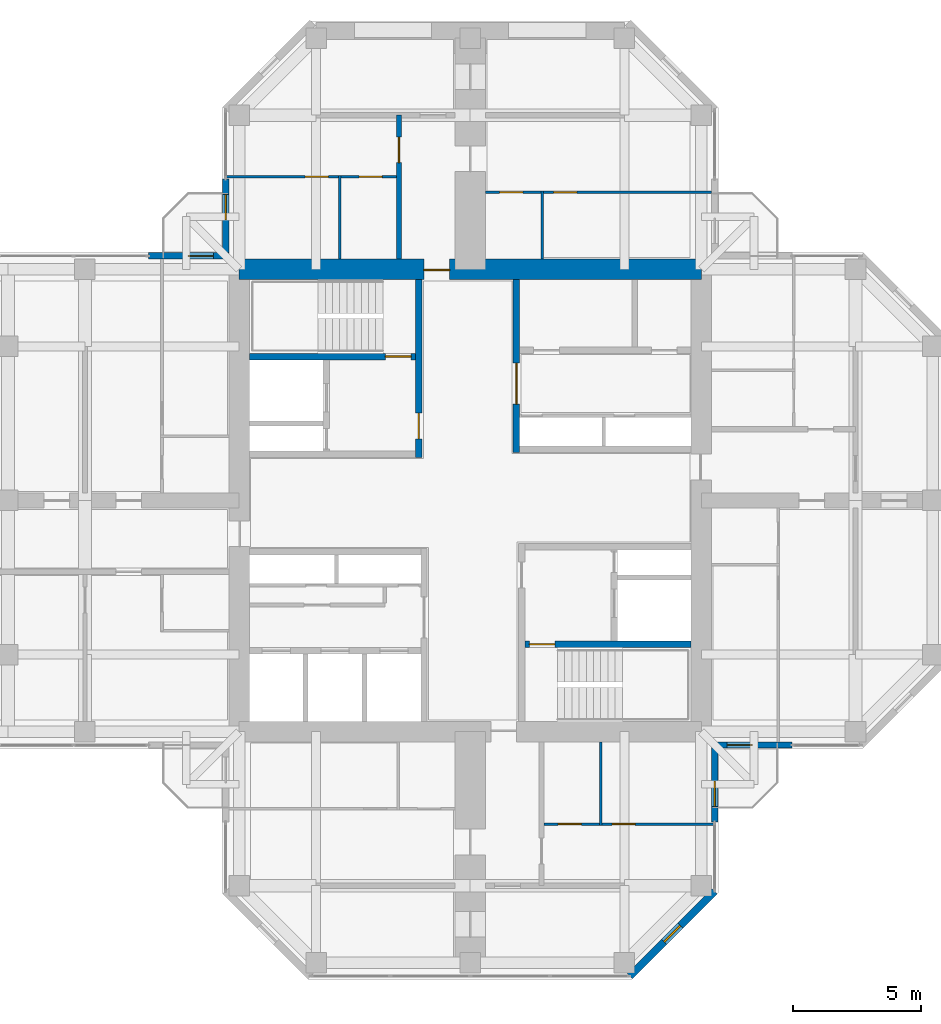
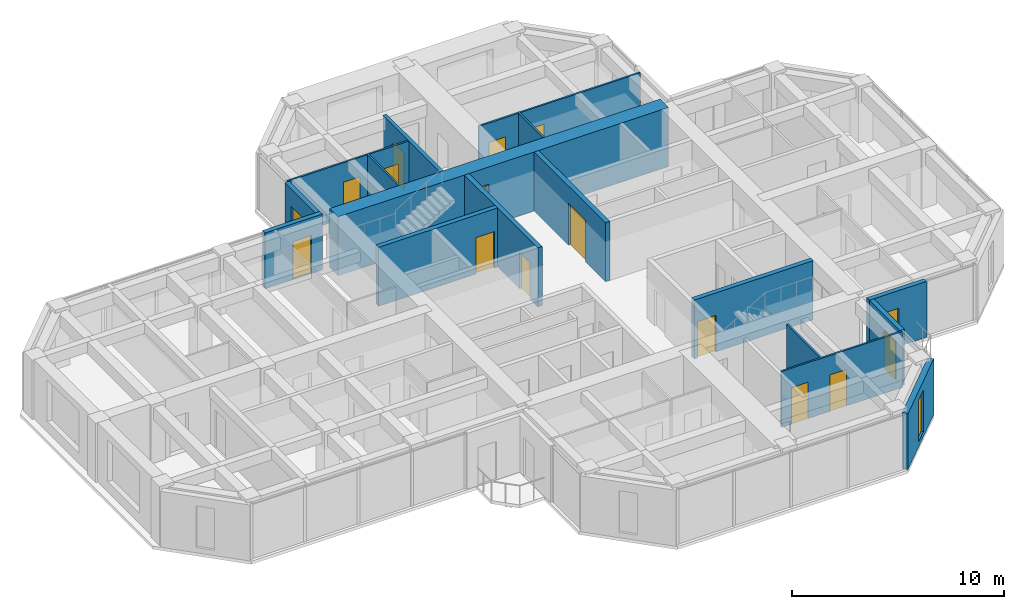
# One storey, part 10 of 13: 17 walls, 16 doors, 1 window, 17 openings.
"""IFC4 building model written with IfcOpenShell, lengths in metres."""

from ifc_helpers import new_model, si_unit, direction, frame, frame_2d, origin, place, context, subcontext, project, spatial, rectangle, hollow_rectangle, extrude, material, layer, layer_set, constituent, constituent_set, type_object, element, fill, save


model = new_model("IFC4")

# Units and contexts
model_context = context("Model", 3, precision=1e-05, world=origin(), true_north=direction((0.0, 1.0)))
body_context = subcontext(model_context, "Body", "Model", "MODEL_VIEW")
ifc_project = project(units=[si_unit("LENGTHUNIT", "METRE"), si_unit("AREAUNIT", "SQUARE_METRE"), si_unit("VOLUMEUNIT", "CUBIC_METRE"), si_unit("PLANEANGLEUNIT", "RADIAN"), si_unit("MASSUNIT", "GRAM", prefix="KILO")], contexts=[model_context])

# Site, building, storey
site_placement = place(None, origin())
site = spatial("IfcSite", under=ifc_project, at=site_placement, CompositionType="ELEMENT")
building_placement = place(site_placement, origin())
building = spatial("IfcBuilding", under=site, at=building_placement, Name="Torre Cruceta", CompositionType="ELEMENT")
storey_placement = place(building_placement, frame((0.0, 0.0, 232.300048828125)))
storey = spatial("IfcBuildingStorey", under=building, at=storey_placement, Name="L59", CompositionType="ELEMENT", Elevation=232.300048828125)

# Wall
ifc_material_1 = material(Name="Water-resistant plasterboard on steel studs", Category="steel")
ifc_layer_1 = layer(ifc_material_1, 0.10009765625)
ifc_layer_set_1 = layer_set([ifc_layer_1], Name="Water-resistant plasterboard on steel studs")
wall_type_1 = type_object("IfcWallType", Name="BATHROOM WALL 100", PredefinedType="PARTITIONING", material=ifc_layer_set_1)
wall_1_placement = place(storey_placement, frame((-5.074951171875, 9.39990234375, 0.0), z_axis=(0.0, 0.0, 1.0), x_axis=(0.0, 1.0, 0.0)))
element("IfcWall", 1, at=wall_1_placement, inside=storey, type_object=wall_type_1, Name="PT4 L59-N-U1LBB", PredefinedType="PARTITIONING", context=body_context, shape_type="SweptSolid", body=[
    extrude(rectangle(XDim=3.25, YDim=0.10009765625, at=frame_2d((1.625, 0.0))), origin(), (0.0, 0.0, 1.0), 3.219970703125),
])

# Wall, openings, doors
wall_2_placement = place(storey_placement, frame((-2.875, 12.60009765625, 0.0), z_axis=(0.0, 0.0, 1.0), x_axis=(-1.0, 0.0, 0.0)))
wall_2 = element("IfcWall", 2, at=wall_2_placement, inside=storey, type_object=wall_type_1, Name="PT4 L59-N-U1LBS", PredefinedType="PARTITIONING", context=body_context, shape_type="SweptSolid", body=[
    extrude(rectangle(XDim=6.60498046875, YDim=0.10009765625, at=frame_2d((3.302490234375, 0.0))), origin(), (0.0, 0.0, 1.0), 3.219970703125),
])
opening_1_placement = place(wall_2_placement, frame((0.550048828125, 0.0, 0.0)))
opening_1 = element("IfcOpeningElement", 3, at=opening_1_placement, cuts=wall_2, Name="Opening D7", PredefinedType="OPENING", context=body_context, shape_type="SweptSolid", body=[
    extrude(rectangle(XDim=0.89990234375, YDim=2.10009765625, at=frame_2d((0.449951171875, 1.050048828125))), frame((0.0, 0.06005859375, 0.0), z_axis=(0.0, -1.0, 0.0), x_axis=(1.0, 0.0, 0.0)), (0.0, 0.0, 1.0), 0.1201171875),
])
opening_2_placement = place(wall_2_placement, frame((2.64990234375, 0.0, 0.0)))
opening_2 = element("IfcOpeningElement", 4, at=opening_2_placement, cuts=wall_2, Name="Opening D7", PredefinedType="OPENING", context=body_context, shape_type="SweptSolid", body=[
    extrude(rectangle(XDim=0.89990234375, YDim=2.10009765625, at=frame_2d((0.449951171875, 1.050048828125))), frame((0.0, 0.06005859375, 0.0), z_axis=(0.0, -1.0, 0.0), x_axis=(1.0, 0.0, 0.0)), (0.0, 0.0, 1.0), 0.1201171875),
])
ifc_material_2 = material(Name="Timber door", Category="wood")
door_type_1 = type_object("IfcDoorType", Name="BATHROOM DOOR 900X2100", OperationType="SINGLE_SWING_LEFT", PredefinedType="DOOR", material=ifc_material_2)
door_1_placement = place(opening_1_placement, origin())
door_1 = element("IfcDoor", 5, at=door_1_placement, inside=storey, type_object=door_type_1, Name="D7 L59-N-U1LBS-D1", OperationType="SINGLE_SWING_LEFT", OverallHeight=2.10009765625, OverallWidth=0.89990234375, PredefinedType="DOOR", context=body_context, shape_type="SweptSolid", body=[
    extrude(rectangle(XDim=0.89990234375, YDim=2.10009765625, at=frame_2d((0.449951171875, 1.050048828125))), frame((0.0, 0.02490234375, 0.0), z_axis=(0.0, -1.0, 0.0), x_axis=(1.0, 0.0, 0.0)), (0.0, 0.0, 1.0), 0.050048828125),
])
fill(opening_1, door_1)
door_2_placement = place(opening_2_placement, origin())
door_2 = element("IfcDoor", 6, at=door_2_placement, inside=storey, type_object=door_type_1, Name="D7 L59-N-U1LBS-D2", OperationType="SINGLE_SWING_LEFT", OverallHeight=2.10009765625, OverallWidth=0.89990234375, PredefinedType="DOOR", context=body_context, shape_type="SweptSolid", body=[
    extrude(rectangle(XDim=0.89990234375, YDim=2.10009765625, at=frame_2d((0.449951171875, 1.050048828125))), frame((0.0, 0.02490234375, 0.0), z_axis=(0.0, -1.0, 0.0), x_axis=(1.0, 0.0, 0.0)), (0.0, 0.0, 1.0), 0.050048828125),
])
fill(opening_2, door_2)

# Wall
wall_3_placement = place(storey_placement, frame((2.800048828125, 9.39990234375, 0.0), z_axis=(0.0, 0.0, 1.0), x_axis=(0.0, 1.0, 0.0)))
element("IfcWall", 7, at=wall_3_placement, inside=storey, type_object=wall_type_1, Name="PT4 L59-N-U1RBB", PredefinedType="PARTITIONING", context=body_context, shape_type="SweptSolid", body=[
    extrude(rectangle(XDim=2.650146484375, YDim=0.10009765625, at=frame_2d((1.3251953125, 0.0))), origin(), (0.0, 0.0, 1.0), 3.219970703125),
])

# Wall, openings, doors
wall_4_placement = place(storey_placement, frame((9.39501953125, 12.0, 0.0), z_axis=(0.0, 0.0, 1.0), x_axis=(-1.0, 0.0, 0.0)))
wall_4 = element("IfcWall", 8, at=wall_4_placement, inside=storey, type_object=wall_type_1, Name="PT4 L59-N-U1RBS", PredefinedType="PARTITIONING", context=body_context, shape_type="SweptSolid", body=[
    extrude(rectangle(XDim=8.794921875, YDim=0.10009765625, at=frame_2d((4.3974609375, 0.0))), origin(), (0.0, 0.0, 1.0), 3.219970703125),
])
opening_3_placement = place(wall_4_placement, frame((5.2451171875, 0.0, 0.0)))
opening_3 = element("IfcOpeningElement", 9, at=opening_3_placement, cuts=wall_4, Name="Opening D7", PredefinedType="OPENING", context=body_context, shape_type="SweptSolid", body=[
    extrude(rectangle(XDim=0.89990234375, YDim=2.10009765625, at=frame_2d((0.449951171875, 1.050048828125))), frame((0.0, 0.06005859375, 0.0), z_axis=(0.0, -1.0, 0.0), x_axis=(1.0, 0.0, 0.0)), (0.0, 0.0, 1.0), 0.1201171875),
])
opening_4_placement = place(wall_4_placement, frame((7.344970703125, 0.0, 0.0)))
opening_4 = element("IfcOpeningElement", 10, at=opening_4_placement, cuts=wall_4, Name="Opening D7", PredefinedType="OPENING", context=body_context, shape_type="SweptSolid", body=[
    extrude(rectangle(XDim=0.89990234375, YDim=2.10009765625, at=frame_2d((0.449951171875, 1.050048828125))), frame((0.0, 0.06005859375, 0.0), z_axis=(0.0, -1.0, 0.0), x_axis=(1.0, 0.0, 0.0)), (0.0, 0.0, 1.0), 0.1201171875),
])
door_3_placement = place(opening_3_placement, origin())
door_3 = element("IfcDoor", 11, at=door_3_placement, inside=storey, type_object=door_type_1, Name="D7 L59-N-U1RBS-D1", OperationType="SINGLE_SWING_RIGHT", OverallHeight=2.10009765625, OverallWidth=0.89990234375, PredefinedType="DOOR", context=body_context, shape_type="SweptSolid", body=[
    extrude(rectangle(XDim=0.89990234375, YDim=2.10009765625, at=frame_2d((0.449951171875, 1.050048828125))), frame((0.0, 0.02490234375, 0.0), z_axis=(0.0, -1.0, 0.0), x_axis=(1.0, 0.0, 0.0)), (0.0, 0.0, 1.0), 0.050048828125),
])
fill(opening_3, door_3)
door_4_placement = place(opening_4_placement, origin())
door_4 = element("IfcDoor", 12, at=door_4_placement, inside=storey, type_object=door_type_1, Name="D7 L59-N-U1RBS-D2", OperationType="SINGLE_SWING_RIGHT", OverallHeight=2.10009765625, OverallWidth=0.89990234375, PredefinedType="DOOR", context=body_context, shape_type="SweptSolid", body=[
    extrude(rectangle(XDim=0.89990234375, YDim=2.10009765625, at=frame_2d((0.449951171875, 1.050048828125))), frame((0.0, 0.02490234375, 0.0), z_axis=(0.0, -1.0, 0.0), x_axis=(1.0, 0.0, 0.0)), (0.0, 0.0, 1.0), 0.050048828125),
])
fill(opening_4, door_4)

# Wall
wall_5_placement = place(storey_placement, frame((5.074951171875, -9.39990234375, 0.0), z_axis=(0.0, 0.0, 1.0), x_axis=(0.0, -1.0, 0.0)))
element("IfcWall", 13, at=wall_5_placement, inside=storey, type_object=wall_type_1, Name="PT4 L59-S-U1LBB", PredefinedType="PARTITIONING", context=body_context, shape_type="SweptSolid", body=[
    extrude(rectangle(XDim=3.25, YDim=0.10009765625, at=frame_2d((1.625, 0.0))), origin(), (0.0, 0.0, 1.0), 3.219970703125),
])

# Wall, openings, doors
wall_6_placement = place(storey_placement, frame((2.875, -12.60009765625, 0.0), z_axis=(0.0, 0.0, 1.0), x_axis=(1.0, 0.0, 0.0)))
wall_6 = element("IfcWall", 14, at=wall_6_placement, inside=storey, type_object=wall_type_1, Name="PT4 L59-S-U1LBS", PredefinedType="PARTITIONING", context=body_context, shape_type="SweptSolid", body=[
    extrude(rectangle(XDim=6.60498046875, YDim=0.10009765625, at=frame_2d((3.302490234375, 0.0))), origin(), (0.0, 0.0, 1.0), 3.219970703125),
])
opening_5_placement = place(wall_6_placement, frame((0.550048828125, 0.0, 0.0)))
opening_5 = element("IfcOpeningElement", 15, at=opening_5_placement, cuts=wall_6, Name="Opening D7", PredefinedType="OPENING", context=body_context, shape_type="SweptSolid", body=[
    extrude(rectangle(XDim=0.89990234375, YDim=2.10009765625, at=frame_2d((0.449951171875, 1.050048828125))), frame((0.0, 0.06005859375, 0.0), z_axis=(0.0, -1.0, 0.0), x_axis=(1.0, 0.0, 0.0)), (0.0, 0.0, 1.0), 0.1201171875),
])
opening_6_placement = place(wall_6_placement, frame((2.64990234375, 0.0, 0.0)))
opening_6 = element("IfcOpeningElement", 16, at=opening_6_placement, cuts=wall_6, Name="Opening D7", PredefinedType="OPENING", context=body_context, shape_type="SweptSolid", body=[
    extrude(rectangle(XDim=0.89990234375, YDim=2.10009765625, at=frame_2d((0.449951171875, 1.050048828125))), frame((0.0, 0.06005859375, 0.0), z_axis=(0.0, -1.0, 0.0), x_axis=(1.0, 0.0, 0.0)), (0.0, 0.0, 1.0), 0.1201171875),
])
door_5_placement = place(opening_5_placement, origin())
door_5 = element("IfcDoor", 17, at=door_5_placement, inside=storey, type_object=door_type_1, Name="D7 L59-S-U1LBS-D1", OperationType="SINGLE_SWING_LEFT", OverallHeight=2.10009765625, OverallWidth=0.89990234375, PredefinedType="DOOR", context=body_context, shape_type="SweptSolid", body=[
    extrude(rectangle(XDim=0.89990234375, YDim=2.10009765625, at=frame_2d((0.449951171875, 1.050048828125))), frame((0.0, 0.02490234375, 0.0), z_axis=(0.0, -1.0, 0.0), x_axis=(1.0, 0.0, 0.0)), (0.0, 0.0, 1.0), 0.050048828125),
])
fill(opening_5, door_5)
door_6_placement = place(opening_6_placement, origin())
door_6 = element("IfcDoor", 18, at=door_6_placement, inside=storey, type_object=door_type_1, Name="D7 L59-S-U1LBS-D2", OperationType="SINGLE_SWING_LEFT", OverallHeight=2.10009765625, OverallWidth=0.89990234375, PredefinedType="DOOR", context=body_context, shape_type="SweptSolid", body=[
    extrude(rectangle(XDim=0.89990234375, YDim=2.10009765625, at=frame_2d((0.449951171875, 1.050048828125))), frame((0.0, 0.02490234375, 0.0), z_axis=(0.0, -1.0, 0.0), x_axis=(1.0, 0.0, 0.0)), (0.0, 0.0, 1.0), 0.050048828125),
])
fill(opening_6, door_6)

# Wall, opening, door
ifc_material_3 = material(Name="Concrete G60 (fck 60 MPa)", Category="concrete")
ifc_layer_2 = layer(ifc_material_3, 0.25)
ifc_layer_set_2 = layer_set([ifc_layer_2], Name="Concrete G60 (fck 60 MPa)")
wall_type_2 = type_object("IfcWallType", Name="CORE INNER WALL 250 G60", PredefinedType="SHEAR", material=ifc_layer_set_2)
wall_7_placement = place(storey_placement, frame((1.800048828125, 1.875, 0.0), z_axis=(0.0, 0.0, 1.0), x_axis=(0.0, 1.0, 0.0)))
wall_7 = element("IfcWall", 19, at=wall_7_placement, inside=storey, type_object=wall_type_2, Name="CW4 L59 NE-CU", PredefinedType="SHEAR", context=body_context, shape_type="SweptSolid", body=[
    extrude(rectangle(XDim=6.72509765625, YDim=0.25, at=frame_2d((3.362548828125, 0.0))), origin(), (0.0, 0.0, 1.0), 3.39990234375),
])
opening_7_placement = place(wall_7_placement, frame((1.875, 0.0, 0.0)))
opening_7 = element("IfcOpeningElement", 20, at=opening_7_placement, cuts=wall_7, Name="Opening D15", PredefinedType="OPENING", context=body_context, shape_type="SweptSolid", body=[
    extrude(rectangle(XDim=1.60009765625, YDim=2.39990234375, at=frame_2d((0.800048828125, 1.199951171875))), frame((0.0, 0.135009765625, 0.0), z_axis=(0.0, -1.0, 0.0), x_axis=(1.0, 0.0, 0.0)), (0.0, 0.0, 1.0), 0.27001953125),
])
ifc_material_4 = material(Name="Steel DX51D", Category="steel")
ifc_constituent_1 = constituent(ifc_material_4, Name="Leaf and frame")
ifc_material_5 = material(Name="Polyester powder coating", Category="paint")
ifc_constituent_2 = constituent(ifc_material_5, Name="Finish")
ifc_constituent_set_1 = constituent_set(constituents=[ifc_constituent_1, ifc_constituent_2], Name="Steel fire door")
door_type_2 = type_object("IfcDoorType", Name="CORE ROOM DOUBLE DOOR 1600X2400", OperationType="DOUBLE_DOOR_SINGLE_SWING", PredefinedType="DOOR", material=ifc_constituent_set_1)
door_7_placement = place(opening_7_placement, frame((1.60009765625, 0.0, 0.0), z_axis=(0.0, 0.0, 1.0), x_axis=(-1.0, 0.0, 0.0)))
door_7 = element("IfcDoor", 21, at=door_7_placement, inside=storey, type_object=door_type_2, Name="D15 L59 NE-LOBBY", OperationType="DOUBLE_DOOR_SINGLE_SWING", OverallHeight=2.39990234375, OverallWidth=1.60009765625, PredefinedType="DOOR", context=body_context, shape_type="SweptSolid", body=[
    extrude(rectangle(XDim=1.60009765625, YDim=2.39990234375, at=frame_2d((0.800048828125, 1.199951171875))), frame((0.0, 0.025146484375, 0.0), z_axis=(0.0, -1.0, 0.0), x_axis=(1.0, 0.0, 0.0)), (0.0, 0.0, 1.0), 0.050048828125),
])
fill(opening_7, door_7)

wall_8_placement = place(storey_placement, frame((-2.0, 1.675048828125, 0.0), z_axis=(0.0, 0.0, 1.0), x_axis=(0.0, 1.0, 0.0)))
wall_8 = element("IfcWall", 22, at=wall_8_placement, inside=storey, type_object=wall_type_2, Name="CW4 L59 NW-CU", PredefinedType="SHEAR", context=body_context, shape_type="SweptSolid", body=[
    extrude(rectangle(XDim=6.925048828125, YDim=0.25, at=frame_2d((3.46240234375, 0.0))), origin(), (0.0, 0.0, 1.0), 3.39990234375),
])
opening_8_placement = place(wall_8_placement, frame((0.72509765625, 0.0, 0.0)))
opening_8 = element("IfcOpeningElement", 23, at=opening_8_placement, cuts=wall_8, Name="Opening D3", PredefinedType="OPENING", context=body_context, shape_type="SweptSolid", body=[
    extrude(rectangle(XDim=1.0, YDim=2.10009765625, at=frame_2d((0.5, 1.050048828125))), frame((0.0, 0.135009765625, 0.0), z_axis=(0.0, -1.0, 0.0), x_axis=(1.0, 0.0, 0.0)), (0.0, 0.0, 1.0), 0.27001953125),
])
ifc_material_6 = material(Name="Steel DX51D", Category="steel")
ifc_constituent_3 = constituent(ifc_material_6, Name="Leaf and frame")
ifc_material_7 = material(Name="Polyester powder coating", Category="paint")
ifc_constituent_4 = constituent(ifc_material_7, Name="Finish")
ifc_constituent_set_2 = constituent_set(constituents=[ifc_constituent_3, ifc_constituent_4], Name="Steel fire door")
door_type_3 = type_object("IfcDoorType", Name="FIRE DOOR 1000X2100", OperationType="SINGLE_SWING_LEFT", PredefinedType="DOOR", material=ifc_constituent_set_2)
door_8_placement = place(opening_8_placement, origin())
door_8 = element("IfcDoor", 24, at=door_8_placement, inside=storey, type_object=door_type_3, Name="D3 L59 NW-LOBBY", OperationType="SINGLE_SWING_LEFT", OverallHeight=2.10009765625, OverallWidth=1.0, PredefinedType="DOOR", context=body_context, shape_type="SweptSolid", body=[
    extrude(rectangle(XDim=1.0, YDim=2.10009765625, at=frame_2d((0.5, 1.050048828125))), frame((0.0, 0.02490234375, 0.0), z_axis=(0.0, -1.0, 0.0), x_axis=(1.0, 0.0, 0.0)), (0.0, 0.0, 1.0), 0.050048828125),
])
fill(opening_8, door_8)

wall_9_placement = place(storey_placement, frame((-2.125, 5.60009765625, 0.0), z_axis=(0.0, 0.0, 1.0), x_axis=(-1.0, 0.0, 0.0)))
wall_9 = element("IfcWall", 25, at=wall_9_placement, inside=storey, type_object=wall_type_2, Name="CW4 L59 NW-SV", PredefinedType="SHEAR", context=body_context, shape_type="SweptSolid", body=[
    extrude(rectangle(XDim=6.47509765625, YDim=0.25, at=frame_2d((3.237548828125, 0.0))), origin(), (0.0, 0.0, 1.0), 3.39990234375),
])
opening_9_placement = place(wall_9_placement, frame((0.175048828125, 0.0, 0.0)))
opening_9 = element("IfcOpeningElement", 26, at=opening_9_placement, cuts=wall_9, Name="Opening D3", PredefinedType="OPENING", context=body_context, shape_type="SweptSolid", body=[
    extrude(rectangle(XDim=1.0, YDim=2.10009765625, at=frame_2d((0.5, 1.050048828125))), frame((0.0, 0.135009765625, 0.0), z_axis=(0.0, -1.0, 0.0), x_axis=(1.0, 0.0, 0.0)), (0.0, 0.0, 1.0), 0.27001953125),
])
door_9_placement = place(opening_9_placement, frame((1.0, 0.0, 0.0), z_axis=(0.0, 0.0, 1.0), x_axis=(-1.0, 0.0, 0.0)))
door_9 = element("IfcDoor", 27, at=door_9_placement, inside=storey, type_object=door_type_3, Name="D3 L59 NW-STAIR", OperationType="SINGLE_SWING_RIGHT", OverallHeight=2.10009765625, OverallWidth=1.0, PredefinedType="DOOR", context=body_context, shape_type="SweptSolid", body=[
    extrude(rectangle(XDim=1.0, YDim=2.10009765625, at=frame_2d((0.5, 1.050048828125))), frame((0.0, 0.025146484375, 0.0), z_axis=(0.0, -1.0, 0.0), x_axis=(1.0, 0.0, 0.0)), (0.0, 0.0, 1.0), 0.050048828125),
])
fill(opening_9, door_9)

wall_10_placement = place(storey_placement, frame((2.125, -5.60009765625, 0.0), z_axis=(0.0, 0.0, 1.0), x_axis=(1.0, 0.0, 0.0)))
wall_10 = element("IfcWall", 28, at=wall_10_placement, inside=storey, type_object=wall_type_2, Name="CW4 L59 SE-SV", PredefinedType="SHEAR", context=body_context, shape_type="SweptSolid", body=[
    extrude(rectangle(XDim=6.47509765625, YDim=0.25, at=frame_2d((3.237548828125, 0.0))), origin(), (0.0, 0.0, 1.0), 3.39990234375),
])
opening_10_placement = place(wall_10_placement, frame((0.175048828125, 0.0, 0.0)))
opening_10 = element("IfcOpeningElement", 29, at=opening_10_placement, cuts=wall_10, Name="Opening D3", PredefinedType="OPENING", context=body_context, shape_type="SweptSolid", body=[
    extrude(rectangle(XDim=1.0, YDim=2.10009765625, at=frame_2d((0.5, 1.050048828125))), frame((0.0, 0.135009765625, 0.0), z_axis=(0.0, -1.0, 0.0), x_axis=(1.0, 0.0, 0.0)), (0.0, 0.0, 1.0), 0.27001953125),
])
door_10_placement = place(opening_10_placement, frame((1.0, 0.0, 0.0), z_axis=(0.0, 0.0, 1.0), x_axis=(-1.0, 0.0, 0.0)))
door_10 = element("IfcDoor", 30, at=door_10_placement, inside=storey, type_object=door_type_3, Name="D3 L59 SE-STAIR", OperationType="SINGLE_SWING_RIGHT", OverallHeight=2.10009765625, OverallWidth=1.0, PredefinedType="DOOR", context=body_context, shape_type="SweptSolid", body=[
    extrude(rectangle(XDim=1.0, YDim=2.10009765625, at=frame_2d((0.5, 1.050048828125))), frame((0.0, 0.025146484375, 0.0), z_axis=(0.0, -1.0, 0.0), x_axis=(1.0, 0.0, 0.0)), (0.0, 0.0, 1.0), 0.050048828125),
])
fill(opening_10, door_10)

ifc_material_8 = material(Name="Concrete G60 (fck 60 MPa)", Category="concrete")
ifc_layer_3 = layer(ifc_material_8, 0.800048828125)
ifc_layer_set_3 = layer_set([ifc_layer_3], Name="Concrete G60 (fck 60 MPa)")
wall_type_3 = type_object("IfcWallType", Name="CORE WALL 800 G60", PredefinedType="SHEAR", material=ifc_layer_set_3)
wall_11_placement = place(storey_placement, frame((9.0, 9.0, 0.0), z_axis=(0.0, 0.0, 1.0), x_axis=(-1.0, 0.0, 0.0)))
wall_11 = element("IfcWall", 31, at=wall_11_placement, inside=storey, type_object=wall_type_3, Name="CW3 L59 CW-N", PredefinedType="SHEAR", context=body_context, shape_type="SweptSolid", body=[
    extrude(rectangle(XDim=18.0, YDim=0.800048828125, at=frame_2d((9.0, 0.0))), origin(), (0.0, 0.0, 1.0), 3.39990234375),
])
opening_11_placement = place(wall_11_placement, frame((9.800048828125, 0.0, 0.0)))
opening_11 = element("IfcOpeningElement", 32, at=opening_11_placement, cuts=wall_11, Name="Opening D4", PredefinedType="OPENING", context=body_context, shape_type="SweptSolid", body=[
    extrude(rectangle(XDim=1.0, YDim=2.39990234375, at=frame_2d((0.5, 1.199951171875))), frame((0.0, 0.409912109375, 0.0), z_axis=(0.0, -1.0, 0.0), x_axis=(1.0, 0.0, 0.0)), (0.0, 0.0, 1.0), 0.820068359375),
])
ifc_material_9 = material(Name="Steel DX51D", Category="steel")
ifc_constituent_5 = constituent(ifc_material_9, Name="Leaf and frame")
ifc_material_10 = material(Name="Polyester powder coating", Category="paint")
ifc_constituent_6 = constituent(ifc_material_10, Name="Finish")
ifc_constituent_set_3 = constituent_set(constituents=[ifc_constituent_5, ifc_constituent_6], Name="Steel fire door")
door_type_4 = type_object("IfcDoorType", Name="CORE ARM DOOR 1000X2400", OperationType="SINGLE_SWING_RIGHT", PredefinedType="DOOR", material=ifc_constituent_set_3)
door_11_placement = place(opening_11_placement, origin())
door_11 = element("IfcDoor", 33, at=door_11_placement, inside=storey, type_object=door_type_4, Name="D4 L59 CW-N", OperationType="SINGLE_SWING_RIGHT", OverallHeight=2.39990234375, OverallWidth=1.0, PredefinedType="DOOR", context=body_context, shape_type="SweptSolid", body=[
    extrude(rectangle(XDim=1.0, YDim=2.39990234375, at=frame_2d((0.5, 1.199951171875))), frame((0.0, 0.05517578125, 0.0), z_axis=(0.0, -1.0, 0.0), x_axis=(1.0, 0.0, 0.0)), (0.0, 0.0, 1.0), 0.050048828125),
])
fill(opening_11, door_11)

ifc_material_11 = material(Name="Concrete G25 (fck 25 MPa)", Category="concrete")
ifc_layer_4 = layer(ifc_material_11, 0.199951171875)
ifc_layer_set_4 = layer_set([ifc_layer_4], Name="Concrete G25 (fck 25 MPa)")
wall_type_4 = type_object("IfcWallType", Name="CORRIDOR WALL 200", PredefinedType="SOLIDWALL", material=ifc_layer_set_4)
wall_12_placement = place(storey_placement, frame((-2.77490234375, 9.39990234375, 0.0), z_axis=(0.0, 0.0, 1.0), x_axis=(0.0, 1.0, 0.0)))
wall_12 = element("IfcWall", 34, at=wall_12_placement, inside=storey, type_object=wall_type_4, Name="PT3 L59-N-CL", PredefinedType="SOLIDWALL", context=body_context, shape_type="SweptSolid", body=[
    extrude(rectangle(XDim=5.60009765625, YDim=0.199951171875, at=frame_2d((2.800048828125, 0.0))), origin(), (0.0, 0.0, 1.0), 3.219970703125),
])
opening_12_placement = place(wall_12_placement, frame((3.75, 0.0, 0.0)))
opening_12 = element("IfcOpeningElement", 35, at=opening_12_placement, cuts=wall_12, Name="Opening D6", PredefinedType="OPENING", context=body_context, shape_type="SweptSolid", body=[
    extrude(rectangle(XDim=1.0, YDim=2.14990234375, at=frame_2d((0.5, 1.074951171875))), frame((0.0, 0.10986328125, 0.0), z_axis=(0.0, -1.0, 0.0), x_axis=(1.0, 0.0, 0.0)), (0.0, 0.0, 1.0), 0.219970703125),
])
ifc_material_12 = material(Name="Timber fire door", Category="wood")
door_type_5 = type_object("IfcDoorType", Name="UNIT ENTRANCE DOOR 1000X2150", OperationType="SINGLE_SWING_LEFT", PredefinedType="DOOR", material=ifc_material_12)
door_12_placement = place(opening_12_placement, origin())
door_12 = element("IfcDoor", 36, at=door_12_placement, inside=storey, type_object=door_type_5, Name="D6 L59-N-CL-D1", OperationType="SINGLE_SWING_LEFT", OverallHeight=2.14990234375, OverallWidth=1.0, PredefinedType="DOOR", context=body_context, shape_type="SweptSolid", body=[
    extrude(rectangle(XDim=1.0, YDim=2.14990234375, at=frame_2d((0.5, 1.074951171875))), frame((0.0, 0.02490234375, 0.0), z_axis=(0.0, -1.0, 0.0), x_axis=(1.0, 0.0, 0.0)), (0.0, 0.0, 1.0), 0.050048828125),
])
fill(opening_12, door_12)

# Wall, opening, window
ifc_material_13 = material(Name="Concrete G30 (fck 30 MPa)", Category="concrete")
ifc_layer_5 = layer(ifc_material_13, 0.300048828125)
ifc_layer_set_5 = layer_set([ifc_layer_5], Name="Concrete G30 (fck 30 MPa)")
wall_type_5 = type_object("IfcWallType", Name="EXPOSED CONCRETE FACADE WALL 300", PredefinedType="SOLIDWALL", material=ifc_layer_set_5)
wall_13_placement = place(storey_placement, frame((6.21533203125, -18.52001953125, 0.0), z_axis=(0.0, 0.0, 1.0), x_axis=(0.707106781187, 0.707106781187, 0.0)))
wall_13 = element("IfcWall", 37, at=wall_13_placement, inside=storey, type_object=wall_type_5, Name="EW1 facade wall L59 S chamfer 18", PredefinedType="SOLIDWALL", context=body_context, shape_type="SweptSolid", body=[
    extrude(rectangle(XDim=4.673583984375, YDim=0.300048828125, at=frame_2d((2.3369140625, 0.0))), origin(), (0.0, 0.0, 1.0), 3.219970703125),
])
opening_13_placement = place(wall_13_placement, frame((1.88671875, 0.0, 0.300048828125)))
opening_13 = element("IfcOpeningElement", 38, at=opening_13_placement, cuts=wall_13, Name="Opening WN5", PredefinedType="OPENING", context=body_context, shape_type="SweptSolid", body=[
    extrude(rectangle(XDim=0.89990234375, YDim=2.39990234375, at=frame_2d((0.449951171875, 1.199951171875))), frame((0.0, 0.159912109375, 0.0), z_axis=(0.0, -1.0, 0.0), x_axis=(1.0, 0.0, 0.0)), (0.0, 0.0, 1.0), 0.320068359375),
])
ifc_material_14 = material(Name="Aluminium window frame", Category="aluminium")
ifc_constituent_7 = constituent(ifc_material_14, Name="Frame")
ifc_material_15 = material(Name="Laminated insulating glass unit, low-iron clear", Category="glass")
ifc_constituent_8 = constituent(ifc_material_15, Name="Glazing")
ifc_constituent_set_4 = constituent_set(constituents=[ifc_constituent_7, ifc_constituent_8], Name="Aluminium window")
window_type = type_object("IfcWindowType", Name="CHAMFER SLOT WINDOW 900X2400", PartitioningType="SINGLE_PANEL", PredefinedType="WINDOW", material=ifc_constituent_set_4)
window_placement = place(opening_13_placement, origin())
window = element("IfcWindow", 39, at=window_placement, inside=storey, type_object=window_type, Name="WN5 L59 S 1", OverallHeight=2.39990234375, OverallWidth=0.89990234375, PartitioningType="SINGLE_PANEL", PredefinedType="WINDOW", context=body_context, shape_type="SweptSolid", body=[
    extrude(hollow_rectangle(XDim=0.89990234375, YDim=2.39990234375, WallThickness=0.06005859375, at=frame_2d((0.449951171875, 1.199951171875))), frame((0.0, 0.030029296875, 0.0), z_axis=(0.0, -1.0, 0.0), x_axis=(1.0, 0.0, 0.0)), (0.0, 0.0, 1.0), 0.06005859375),
    extrude(rectangle(XDim=0.77880859375, YDim=2.27880859375, at=frame_2d((0.449951171875, 1.199951171875))), frame((0.0, 0.030029296875, 0.0), z_axis=(0.0, -1.0, 0.0), x_axis=(1.0, 0.0, 0.0)), (0.0, 0.0, 1.0), 0.06005859375),
])
fill(opening_13, window)

# Wall, opening, door
ifc_material_16 = material(Name="Concrete G30 (fck 30 MPa)", Category="concrete")
ifc_layer_6 = layer(ifc_material_16, 0.25)
ifc_layer_set_6 = layer_set([ifc_layer_6], Name="Concrete G30 (fck 30 MPa)")
wall_type_6 = type_object("IfcWallType", Name="WINTER GARDEN WALL 250", PredefinedType="SOLIDWALL", material=ifc_layer_set_6)
wall_14_placement = place(storey_placement, frame((9.39501953125, -9.52001953125, 0.0), z_axis=(0.0, 0.0, 1.0), x_axis=(1.0, 0.0, 0.0)))
wall_14 = element("IfcWall", 40, at=wall_14_placement, inside=storey, type_object=wall_type_6, Name="EW2 winter garden wall L59 00", PredefinedType="SOLIDWALL", context=body_context, shape_type="SweptSolid", body=[
    extrude(rectangle(XDim=3.125, YDim=0.25, at=frame_2d((1.5625, 0.0))), origin(), (0.0, 0.0, 1.0), 3.219970703125),
])
opening_14_placement = place(wall_14_placement, frame((0.60009765625, 0.0, 0.0)))
opening_14 = element("IfcOpeningElement", 41, at=opening_14_placement, cuts=wall_14, Name="Opening D10", PredefinedType="OPENING", context=body_context, shape_type="SweptSolid", body=[
    extrude(rectangle(XDim=1.0, YDim=2.199951171875, at=frame_2d((0.5, 1.10009765625))), frame((0.0, 0.135009765625, 0.0), z_axis=(0.0, -1.0, 0.0), x_axis=(1.0, 0.0, 0.0)), (0.0, 0.0, 1.0), 0.27001953125),
])
ifc_material_17 = material(Name="Aluminium door frame", Category="aluminium")
ifc_constituent_9 = constituent(ifc_material_17, Name="Frame")
ifc_material_18 = material(Name="Laminated safety glass", Category="glass")
ifc_constituent_10 = constituent(ifc_material_18, Name="Glazing")
ifc_constituent_set_5 = constituent_set(constituents=[ifc_constituent_9, ifc_constituent_10], Name="Aluminium glazed door")
door_type_6 = type_object("IfcDoorType", Name="BALCONY DOOR 1000X2200", OperationType="SINGLE_SWING_RIGHT", PredefinedType="DOOR", material=ifc_constituent_set_5)
door_13_placement = place(opening_14_placement, origin())
door_13 = element("IfcDoor", 42, at=door_13_placement, inside=storey, type_object=door_type_6, Name="D10 balcony door L59 00", OperationType="SINGLE_SWING_RIGHT", OverallHeight=2.199951171875, OverallWidth=1.0, PredefinedType="DOOR", context=body_context, shape_type="SweptSolid", body=[
    extrude(hollow_rectangle(XDim=1.0, YDim=2.199951171875, WallThickness=0.06005859375, at=frame_2d((0.5, 1.10009765625))), frame((0.0, 0.02490234375, 0.0), z_axis=(0.0, -1.0, 0.0), x_axis=(1.0, 0.0, 0.0)), (0.0, 0.0, 1.0), 0.050048828125),
    extrude(rectangle(XDim=0.87890625, YDim=2.078857421875, at=frame_2d((0.5, 1.10009765625))), frame((0.0, 0.02490234375, 0.0), z_axis=(0.0, -1.0, 0.0), x_axis=(1.0, 0.0, 0.0)), (0.0, 0.0, 1.0), 0.050048828125),
])
fill(opening_14, door_13)

wall_15_placement = place(storey_placement, frame((-9.52001953125, 12.52001953125, 0.0), z_axis=(0.0, 0.0, 1.0), x_axis=(0.0, -1.0, 0.0)))
wall_15 = element("IfcWall", 43, at=wall_15_placement, inside=storey, type_object=wall_type_6, Name="EW2 winter garden wall L59 09", PredefinedType="SOLIDWALL", context=body_context, shape_type="SweptSolid", body=[
    extrude(rectangle(XDim=2.875, YDim=0.25, at=frame_2d((1.4375, 0.0))), origin(), (0.0, 0.0, 1.0), 3.219970703125),
])
opening_15_placement = place(wall_15_placement, frame((0.60009765625, 0.0, 0.0)))
opening_15 = element("IfcOpeningElement", 44, at=opening_15_placement, cuts=wall_15, Name="Opening D10", PredefinedType="OPENING", context=body_context, shape_type="SweptSolid", body=[
    extrude(rectangle(XDim=1.0, YDim=2.199951171875, at=frame_2d((0.5, 1.10009765625))), frame((0.0, 0.135009765625, 0.0), z_axis=(0.0, -1.0, 0.0), x_axis=(1.0, 0.0, 0.0)), (0.0, 0.0, 1.0), 0.27001953125),
])
door_14_placement = place(opening_15_placement, origin())
door_14 = element("IfcDoor", 45, at=door_14_placement, inside=storey, type_object=door_type_6, Name="D10 balcony door L59 09", OperationType="SINGLE_SWING_LEFT", OverallHeight=2.199951171875, OverallWidth=1.0, PredefinedType="DOOR", context=body_context, shape_type="SweptSolid", body=[
    extrude(hollow_rectangle(XDim=1.0, YDim=2.199951171875, WallThickness=0.06005859375, at=frame_2d((0.5, 1.10009765625))), frame((0.0, 0.02490234375, 0.0), z_axis=(0.0, -1.0, 0.0), x_axis=(1.0, 0.0, 0.0)), (0.0, 0.0, 1.0), 0.050048828125),
    extrude(rectangle(XDim=0.87890625, YDim=2.078857421875, at=frame_2d((0.5, 1.10009765625))), frame((0.0, 0.02490234375, 0.0), z_axis=(0.0, -1.0, 0.0), x_axis=(1.0, 0.0, 0.0)), (0.0, 0.0, 1.0), 0.050048828125),
])
fill(opening_15, door_14)

wall_16_placement = place(storey_placement, frame((-9.39501953125, 9.52001953125, 0.0), z_axis=(0.0, 0.0, 1.0), x_axis=(-1.0, 0.0, 0.0)))
wall_16 = element("IfcWall", 46, at=wall_16_placement, inside=storey, type_object=wall_type_6, Name="EW2 winter garden wall L59 10", PredefinedType="SOLIDWALL", context=body_context, shape_type="SweptSolid", body=[
    extrude(rectangle(XDim=3.125, YDim=0.25, at=frame_2d((1.5625, 0.0))), origin(), (0.0, 0.0, 1.0), 3.219970703125),
])
opening_16_placement = place(wall_16_placement, frame((0.60009765625, 0.0, 0.0)))
opening_16 = element("IfcOpeningElement", 47, at=opening_16_placement, cuts=wall_16, Name="Opening D10", PredefinedType="OPENING", context=body_context, shape_type="SweptSolid", body=[
    extrude(rectangle(XDim=1.0, YDim=2.199951171875, at=frame_2d((0.5, 1.10009765625))), frame((0.0, 0.135009765625, 0.0), z_axis=(0.0, -1.0, 0.0), x_axis=(1.0, 0.0, 0.0)), (0.0, 0.0, 1.0), 0.27001953125),
])
door_15_placement = place(opening_16_placement, origin())
door_15 = element("IfcDoor", 48, at=door_15_placement, inside=storey, type_object=door_type_6, Name="D10 balcony door L59 10", OperationType="SINGLE_SWING_RIGHT", OverallHeight=2.199951171875, OverallWidth=1.0, PredefinedType="DOOR", context=body_context, shape_type="SweptSolid", body=[
    extrude(hollow_rectangle(XDim=1.0, YDim=2.199951171875, WallThickness=0.06005859375, at=frame_2d((0.5, 1.10009765625))), frame((0.0, 0.02490234375, 0.0), z_axis=(0.0, -1.0, 0.0), x_axis=(1.0, 0.0, 0.0)), (0.0, 0.0, 1.0), 0.050048828125),
    extrude(rectangle(XDim=0.87890625, YDim=2.078857421875, at=frame_2d((0.5, 1.10009765625))), frame((0.0, 0.02490234375, 0.0), z_axis=(0.0, -1.0, 0.0), x_axis=(1.0, 0.0, 0.0)), (0.0, 0.0, 1.0), 0.050048828125),
])
fill(opening_16, door_15)

wall_17_placement = place(storey_placement, frame((9.52001953125, -12.52001953125, 0.0), z_axis=(0.0, 0.0, 1.0), x_axis=(0.0, 1.0, 0.0)))
wall_17 = element("IfcWall", 49, at=wall_17_placement, inside=storey, type_object=wall_type_6, Name="EW2 winter garden wall L59 19", PredefinedType="SOLIDWALL", context=body_context, shape_type="SweptSolid", body=[
    extrude(rectangle(XDim=2.875, YDim=0.25, at=frame_2d((1.4375, 0.0))), origin(), (0.0, 0.0, 1.0), 3.219970703125),
])
opening_17_placement = place(wall_17_placement, frame((0.60009765625, 0.0, 0.0)))
opening_17 = element("IfcOpeningElement", 50, at=opening_17_placement, cuts=wall_17, Name="Opening D10", PredefinedType="OPENING", context=body_context, shape_type="SweptSolid", body=[
    extrude(rectangle(XDim=1.0, YDim=2.199951171875, at=frame_2d((0.5, 1.10009765625))), frame((0.0, 0.135009765625, 0.0), z_axis=(0.0, -1.0, 0.0), x_axis=(1.0, 0.0, 0.0)), (0.0, 0.0, 1.0), 0.27001953125),
])
door_16_placement = place(opening_17_placement, origin())
door_16 = element("IfcDoor", 51, at=door_16_placement, inside=storey, type_object=door_type_6, Name="D10 balcony door L59 19", OperationType="SINGLE_SWING_LEFT", OverallHeight=2.199951171875, OverallWidth=1.0, PredefinedType="DOOR", context=body_context, shape_type="SweptSolid", body=[
    extrude(hollow_rectangle(XDim=1.0, YDim=2.199951171875, WallThickness=0.06005859375, at=frame_2d((0.5, 1.10009765625))), frame((0.0, 0.02490234375, 0.0), z_axis=(0.0, -1.0, 0.0), x_axis=(1.0, 0.0, 0.0)), (0.0, 0.0, 1.0), 0.050048828125),
    extrude(rectangle(XDim=0.87890625, YDim=2.078857421875, at=frame_2d((0.5, 1.10009765625))), frame((0.0, 0.02490234375, 0.0), z_axis=(0.0, -1.0, 0.0), x_axis=(1.0, 0.0, 0.0)), (0.0, 0.0, 1.0), 0.050048828125),
])
fill(opening_17, door_16)

save(model, "model.ifc")
